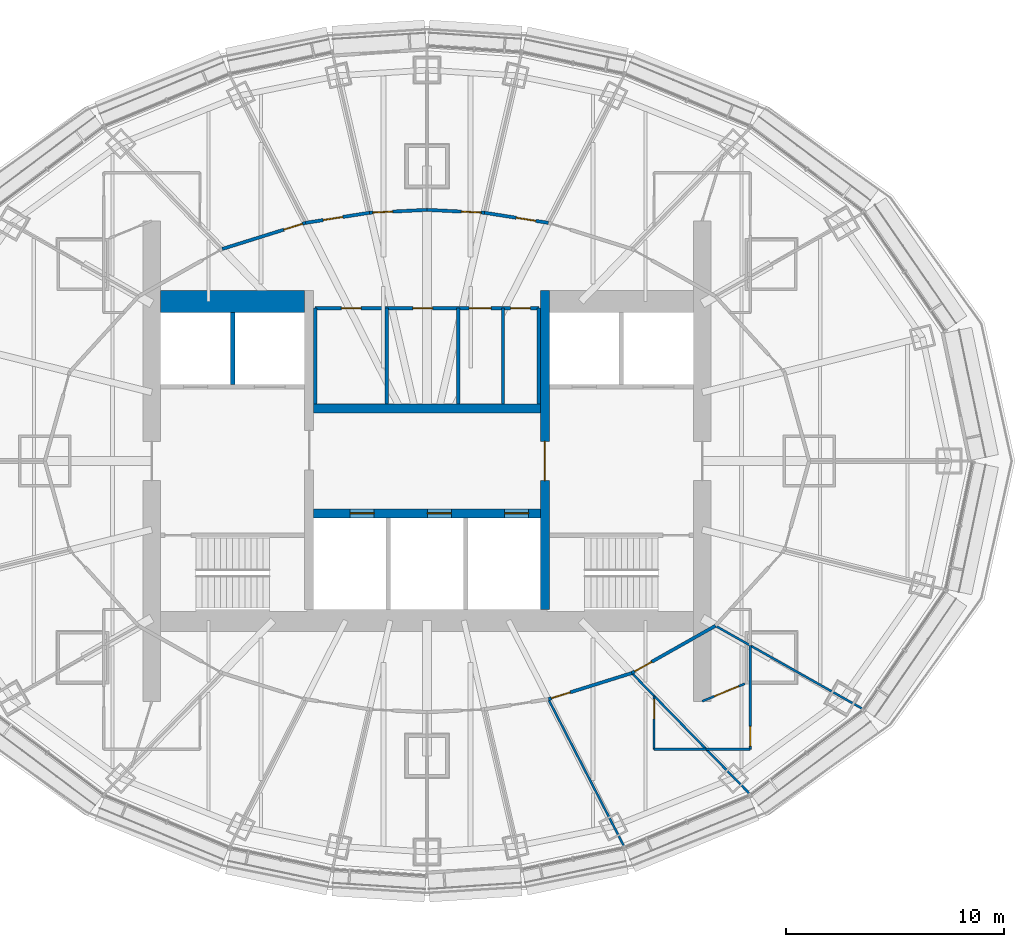
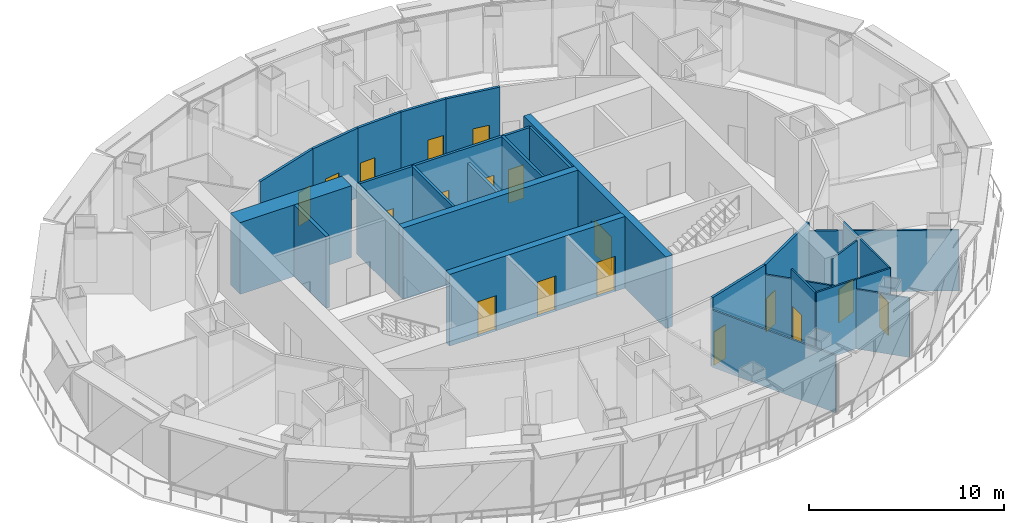
# One storey, part 11 of 17: 26 walls, 18 doors, 18 openings.
"""IFC4 building model written with IfcOpenShell, lengths in metres."""

from ifc_helpers import new_model, si_unit, direction, frame, frame_2d, origin, place, context, subcontext, project, spatial, rectangle, extrude, material, layer, layer_set, type_object, element, fill, save


model = new_model("IFC4")

# Units and contexts
model_context = context("Model", 3, precision=1e-05, world=origin(), true_north=direction((0.0, 1.0)))
body_context = subcontext(model_context, "Body", "Model", "MODEL_VIEW")
ifc_project = project(units=[si_unit("LENGTHUNIT", "METRE"), si_unit("AREAUNIT", "SQUARE_METRE"), si_unit("VOLUMEUNIT", "CUBIC_METRE"), si_unit("PLANEANGLEUNIT", "RADIAN"), si_unit("MASSUNIT", "GRAM", prefix="KILO")], contexts=[model_context])

# Site, building, storey
site_placement = place(None, origin())
site = spatial("IfcSite", under=ifc_project, at=site_placement, CompositionType="ELEMENT")
building_placement = place(site_placement, origin())
building = spatial("IfcBuilding", under=site, at=building_placement, Name="Lantaw Convention Tower", CompositionType="ELEMENT")
storey_placement = place(building_placement, frame((0.0, 0.0, 270.39990234375)))
storey = spatial("IfcBuildingStorey", under=building, at=storey_placement, Name="L63", CompositionType="ELEMENT", Elevation=270.39990234375)

# Wall
ifc_material_1 = material(Name="Concrete C60/75", Category="concrete")
ifc_layer_1 = layer(ifc_material_1, 1.0)
ifc_layer_set_1 = layer_set([ifc_layer_1], Name="Core wall 1000")
wall_type_1 = type_object("IfcWallType", Name="Core wall 1000", PredefinedType="SHEAR", material=ifc_layer_set_1)
wall_1_placement = place(storey_placement, frame((-5.60009765625, 7.300048828125, 0.0), z_axis=(0.0, 0.0, 1.0), x_axis=(-1.0, 0.0, 0.0)))
element("IfcWall", 1, at=wall_1_placement, inside=storey, type_object=wall_type_1, Name="Core wall NW", PredefinedType="SHEAR", context=body_context, shape_type="SweptSolid", body=[
    extrude(rectangle(XDim=6.599853515625, YDim=1.0, at=frame_2d((3.2998046875, 0.0))), origin(), (0.0, 0.0, 1.0), 4.5),
])

# Wall, opening, door
ifc_layer_2 = layer(ifc_material_1, 0.39990234375)
ifc_layer_set_2 = layer_set([ifc_layer_2], Name="Core wall 400")
wall_type_2 = type_object("IfcWallType", Name="Core wall 400", PredefinedType="SHEAR", material=ifc_layer_set_2)
wall_2_placement = place(storey_placement, frame((5.39990234375, -6.800048828125, 0.0), z_axis=(0.0, 0.0, 1.0), x_axis=(0.0, 1.0, 0.0)))
wall_2 = element("IfcWall", 2, at=wall_2_placement, inside=storey, type_object=wall_type_2, Name="Core wall XE", PredefinedType="SHEAR", context=body_context, shape_type="SweptSolid", body=[
    extrude(rectangle(XDim=14.60009765625, YDim=0.39990234375, at=frame_2d((7.300048828125, 0.0))), origin(), (0.0, 0.0, 1.0), 4.5),
])
opening_1_placement = place(wall_2_placement, frame((5.89990234375, 0.0, 0.0)))
opening_1 = element("IfcOpeningElement", 3, at=opening_1_placement, cuts=wall_2, Name="Opening L63.01", PredefinedType="OPENING", context=body_context, shape_type="SweptSolid", body=[
    extrude(rectangle(XDim=1.800048828125, YDim=2.10009765625, at=frame_2d((0.89990234375, 1.050048828125))), frame((0.0, 0.2099609375, 0.0), z_axis=(0.0, -1.0, 0.0), x_axis=(1.0, 0.0, 0.0)), (0.0, 0.0, 1.0), 0.419921875),
])
ifc_material_2 = material(Name="Steel, fire rated", Category="steel")
door_type_1 = type_object("IfcDoorType", Name="Lobby double door FD90", OperationType="DOUBLE_DOOR_DOUBLE_SWING", PredefinedType="DOOR", material=ifc_material_2)
door_1_placement = place(opening_1_placement, origin())
door_1 = element("IfcDoor", 4, at=door_1_placement, inside=storey, type_object=door_type_1, Name="Lift lobby door", OperationType="DOUBLE_DOOR_DOUBLE_SWING", OverallHeight=2.10009765625, OverallWidth=1.800048828125, PredefinedType="DOOR", context=body_context, shape_type="SweptSolid", body=[
    extrude(rectangle(XDim=1.800048828125, YDim=2.10009765625, at=frame_2d((0.89990234375, 1.050048828125))), frame((0.0, 0.02490234375, 0.0), z_axis=(0.0, -1.0, 0.0), x_axis=(1.0, 0.0, 0.0)), (0.0, 0.0, 1.0), 0.050048828125),
])
fill(opening_1, door_1)

# Wall, openings, doors
wall_3_placement = place(storey_placement, frame((-5.199951171875, -2.39990234375, 0.0), z_axis=(0.0, 0.0, 1.0), x_axis=(1.0, 0.0, 0.0)))
wall_3 = element("IfcWall", 5, at=wall_3_placement, inside=storey, type_object=wall_type_2, Name="Core wall BS", PredefinedType="SHEAR", context=body_context, shape_type="SweptSolid", body=[
    extrude(rectangle(XDim=10.39990234375, YDim=0.39990234375, at=frame_2d((5.199951171875, 0.0))), origin(), (0.0, 0.0, 1.0), 4.5),
])
opening_2_placement = place(wall_3_placement, frame((1.683349609375, 0.0, 0.0)))
opening_2 = element("IfcOpeningElement", 6, at=opening_2_placement, cuts=wall_3, Name="Opening L63.07", PredefinedType="OPENING", context=body_context, shape_type="SweptSolid", body=[
    extrude(rectangle(XDim=1.10009765625, YDim=2.199951171875, at=frame_2d((0.550048828125, 1.10009765625))), frame((0.0, 0.2099609375, 0.0), z_axis=(0.0, -1.0, 0.0), x_axis=(1.0, 0.0, 0.0)), (0.0, 0.0, 1.0), 0.419921875),
])
opening_3_placement = place(wall_3_placement, frame((5.216796875, 0.0, 0.0)))
opening_3 = element("IfcOpeningElement", 7, at=opening_3_placement, cuts=wall_3, Name="Opening L63.08", PredefinedType="OPENING", context=body_context, shape_type="SweptSolid", body=[
    extrude(rectangle(XDim=1.10009765625, YDim=2.199951171875, at=frame_2d((0.550048828125, 1.10009765625))), frame((0.0, 0.2099609375, 0.0), z_axis=(0.0, -1.0, 0.0), x_axis=(1.0, 0.0, 0.0)), (0.0, 0.0, 1.0), 0.419921875),
])
opening_4_placement = place(wall_3_placement, frame((8.75, 0.0, 0.0)))
opening_4 = element("IfcOpeningElement", 8, at=opening_4_placement, cuts=wall_3, Name="Opening L63.09", PredefinedType="OPENING", context=body_context, shape_type="SweptSolid", body=[
    extrude(rectangle(XDim=1.10009765625, YDim=2.199951171875, at=frame_2d((0.550048828125, 1.10009765625))), frame((0.0, 0.2099609375, 0.0), z_axis=(0.0, -1.0, 0.0), x_axis=(1.0, 0.0, 0.0)), (0.0, 0.0, 1.0), 0.419921875),
])
ifc_material_3 = material(Name="Stainless steel", Category="steel")
door_type_2 = type_object("IfcDoorType", Name="Lift landing door 1100", OperationType="DOUBLE_DOOR_SLIDING", PredefinedType="DOOR", material=ifc_material_3)
door_2_placement = place(opening_2_placement, origin())
door_2 = element("IfcDoor", 9, at=door_2_placement, inside=storey, type_object=door_type_2, Name="Lift landing door S1", OperationType="DOUBLE_DOOR_SLIDING", OverallHeight=2.199951171875, OverallWidth=1.10009765625, PredefinedType="DOOR", context=body_context, shape_type="SweptSolid", body=[
    extrude(rectangle(XDim=1.10009765625, YDim=2.199951171875, at=frame_2d((0.550048828125, 1.10009765625))), frame((0.0, 0.02490234375, 0.0), z_axis=(0.0, -1.0, 0.0), x_axis=(1.0, 0.0, 0.0)), (0.0, 0.0, 1.0), 0.050048828125),
])
fill(opening_2, door_2)
door_3_placement = place(opening_3_placement, origin())
door_3 = element("IfcDoor", 10, at=door_3_placement, inside=storey, type_object=door_type_2, Name="Lift landing door S2", OperationType="DOUBLE_DOOR_SLIDING", OverallHeight=2.199951171875, OverallWidth=1.10009765625, PredefinedType="DOOR", context=body_context, shape_type="SweptSolid", body=[
    extrude(rectangle(XDim=1.10009765625, YDim=2.199951171875, at=frame_2d((0.550048828125, 1.10009765625))), frame((0.0, 0.02490234375, 0.0), z_axis=(0.0, -1.0, 0.0), x_axis=(1.0, 0.0, 0.0)), (0.0, 0.0, 1.0), 0.050048828125),
])
fill(opening_3, door_3)
door_4_placement = place(opening_4_placement, origin())
door_4 = element("IfcDoor", 11, at=door_4_placement, inside=storey, type_object=door_type_2, Name="Lift landing door S3", OperationType="DOUBLE_DOOR_SLIDING", OverallHeight=2.199951171875, OverallWidth=1.10009765625, PredefinedType="DOOR", context=body_context, shape_type="SweptSolid", body=[
    extrude(rectangle(XDim=1.10009765625, YDim=2.199951171875, at=frame_2d((0.550048828125, 1.10009765625))), frame((0.0, 0.02490234375, 0.0), z_axis=(0.0, -1.0, 0.0), x_axis=(1.0, 0.0, 0.0)), (0.0, 0.0, 1.0), 0.050048828125),
])
fill(opening_4, door_4)

# Wall
wall_4_placement = place(storey_placement, frame((5.199951171875, 2.39990234375, 0.0), z_axis=(0.0, 0.0, 1.0), x_axis=(-1.0, 0.0, 0.0)))
element("IfcWall", 12, at=wall_4_placement, inside=storey, type_object=wall_type_2, Name="Core wall BN", PredefinedType="SHEAR", context=body_context, shape_type="SweptSolid", body=[
    extrude(rectangle(XDim=10.39990234375, YDim=0.39990234375, at=frame_2d((5.199951171875, 0.0))), origin(), (0.0, 0.0, 1.0), 4.5),
])

# Wall, opening, door
ifc_material_4 = material(Name="Gypsum board on steel studs, fire rated", Category="steel")
ifc_layer_3 = layer(ifc_material_4, 0.10009765625)
ifc_layer_set_3 = layer_set([ifc_layer_3], Name="Corridor screen wall 100 EI 30")
wall_type_3 = type_object("IfcWallType", Name="Corridor screen wall 100 EI 30", PredefinedType="PARTITIONING", material=ifc_layer_set_3)
wall_5_placement = place(storey_placement, frame((12.60009765625, -11.0, 0.0), z_axis=(0.0, 0.0, 1.0), x_axis=(0.925157145479, 0.379584320237, 0.0)))
wall_5 = element("IfcWall", 13, at=wall_5_placement, inside=storey, type_object=wall_type_3, Name="Corridor screen wall 100", PredefinedType="PARTITIONING", context=body_context, shape_type="SweptSolid", body=[
    extrude(rectangle(XDim=2.107666015625, YDim=0.10009765625, at=frame_2d((1.0537109375, 0.0))), origin(), (0.0, 0.0, 1.0), 4.35009765625),
])
opening_5_placement = place(wall_5_placement, frame((0.60009765625, 0.0, 0.0)))
opening_5 = element("IfcOpeningElement", 14, at=opening_5_placement, cuts=wall_5, Name="Opening L63.48", PredefinedType="OPENING", context=body_context, shape_type="SweptSolid", body=[
    extrude(rectangle(XDim=1.199951171875, YDim=2.10009765625, at=frame_2d((0.60009765625, 1.050048828125))), frame((0.0, 0.06005859375, 0.0), z_axis=(0.0, -1.0, 0.0), x_axis=(1.0, 0.0, 0.0)), (0.0, 0.0, 1.0), 0.1201171875),
])
door_type_3 = type_object("IfcDoorType", Name="Cross-corridor door 1200 FD30", OperationType="DOUBLE_DOOR_DOUBLE_SWING", PredefinedType="DOOR", material=ifc_material_2)
door_5_placement = place(opening_5_placement, origin())
door_5 = element("IfcDoor", 15, at=door_5_placement, inside=storey, type_object=door_type_3, Name="Cross-corridor door", OperationType="DOUBLE_DOOR_DOUBLE_SWING", OverallHeight=2.10009765625, OverallWidth=1.199951171875, PredefinedType="DOOR", context=body_context, shape_type="SweptSolid", body=[
    extrude(rectangle(XDim=1.199951171875, YDim=2.10009765625, at=frame_2d((0.60009765625, 1.050048828125))), frame((0.0, 0.02490234375, 0.0), z_axis=(0.0, -1.0, 0.0), x_axis=(1.0, 0.0, 0.0)), (0.0, 0.0, 1.0), 0.050048828125),
])
fill(opening_5, door_5)

ifc_layer_4 = layer(ifc_material_4, 0.14990234375)
ifc_layer_set_4 = layer_set([ifc_layer_4], Name="Corridor wall 150 EI 60")
wall_type_4 = type_object("IfcWallType", Name="Corridor wall 150 EI 60", PredefinedType="PARTITIONING", material=ifc_layer_set_4)
wall_6_placement = place(storey_placement, frame((5.556396484375, 10.905029296875, 0.0), z_axis=(0.0, 0.0, 1.0), x_axis=(-0.987659371348, 0.156617260185, 0.0)))
wall_6 = element("IfcWall", 16, at=wall_6_placement, inside=storey, type_object=wall_type_4, Name="Corridor wall 150", PredefinedType="PARTITIONING", context=body_context, shape_type="SweptSolid", body=[
    extrude(rectangle(XDim=2.968017578125, YDim=0.14990234375, at=frame_2d((1.48388671875, 0.0))), origin(), (0.0, 0.0, 1.0), 4.35009765625),
])
opening_6_placement = place(wall_6_placement, frame((0.592041015625, 0.0, 0.0)))
opening_6 = element("IfcOpeningElement", 17, at=opening_6_placement, cuts=wall_6, Name="Opening L63.21", PredefinedType="OPENING", context=body_context, shape_type="SweptSolid", body=[
    extrude(rectangle(XDim=0.89990234375, YDim=2.10009765625, at=frame_2d((0.449951171875, 1.050048828125))), frame((0.0, 0.0849609375, 0.0), z_axis=(0.0, -1.0, 0.0), x_axis=(1.0, 0.0, 0.0)), (0.0, 0.0, 1.0), 0.169921875),
])
door_type_4 = type_object("IfcDoorType", Name="Office door 900 FD30", OperationType="SINGLE_SWING_LEFT", PredefinedType="DOOR", material=ifc_material_2)
door_6_placement = place(opening_6_placement, origin())
door_6 = element("IfcDoor", 18, at=door_6_placement, inside=storey, type_object=door_type_4, Name="Executive office door", OperationType="SINGLE_SWING_LEFT", OverallHeight=2.10009765625, OverallWidth=0.89990234375, PredefinedType="DOOR", context=body_context, shape_type="SweptSolid", body=[
    extrude(rectangle(XDim=0.89990234375, YDim=2.10009765625, at=frame_2d((0.449951171875, 1.050048828125))), frame((0.0, 0.02490234375, 0.0), z_axis=(0.0, -1.0, 0.0), x_axis=(1.0, 0.0, 0.0)), (0.0, 0.0, 1.0), 0.050048828125),
])
fill(opening_6, door_6)

wall_7_placement = place(storey_placement, frame((2.625, 11.369873046875, 0.0), z_axis=(0.0, 0.0, 1.0), x_axis=(-0.99877355978, 0.049511375313, 0.0)))
wall_7 = element("IfcWall", 19, at=wall_7_placement, inside=storey, type_object=wall_type_4, Name="Corridor wall 150", PredefinedType="PARTITIONING", context=body_context, shape_type="SweptSolid", body=[
    extrude(rectangle(XDim=2.628173828125, YDim=0.14990234375, at=frame_2d((1.31396484375, 0.0))), origin(), (0.0, 0.0, 1.0), 4.35009765625),
])
opening_7_placement = place(wall_7_placement, frame((0.14990234375, 0.0, 0.0)))
opening_7 = element("IfcOpeningElement", 20, at=opening_7_placement, cuts=wall_7, Name="Opening L63.22", PredefinedType="OPENING", context=body_context, shape_type="SweptSolid", body=[
    extrude(rectangle(XDim=0.89990234375, YDim=2.10009765625, at=frame_2d((0.449951171875, 1.050048828125))), frame((0.0, 0.0849609375, 0.0), z_axis=(0.0, -1.0, 0.0), x_axis=(1.0, 0.0, 0.0)), (0.0, 0.0, 1.0), 0.169921875),
])
door_7_placement = place(opening_7_placement, origin())
door_7 = element("IfcDoor", 21, at=door_7_placement, inside=storey, type_object=door_type_4, Name="Executive office door", OperationType="SINGLE_SWING_LEFT", OverallHeight=2.10009765625, OverallWidth=0.89990234375, PredefinedType="DOOR", context=body_context, shape_type="SweptSolid", body=[
    extrude(rectangle(XDim=0.89990234375, YDim=2.10009765625, at=frame_2d((0.449951171875, 1.050048828125))), frame((0.0, 0.02490234375, 0.0), z_axis=(0.0, -1.0, 0.0), x_axis=(1.0, 0.0, 0.0)), (0.0, 0.0, 1.0), 0.050048828125),
])
fill(opening_7, door_7)

wall_8_placement = place(storey_placement, frame((0.0, 11.5, 0.0), z_axis=(0.0, 0.0, 1.0), x_axis=(-0.99877355978, -0.049511375313, 0.0)))
wall_8 = element("IfcWall", 22, at=wall_8_placement, inside=storey, type_object=wall_type_4, Name="Corridor wall 150", PredefinedType="PARTITIONING", context=body_context, shape_type="SweptSolid", body=[
    extrude(rectangle(XDim=2.628173828125, YDim=0.14990234375, at=frame_2d((1.31396484375, 0.0))), origin(), (0.0, 0.0, 1.0), 4.35009765625),
])
opening_8_placement = place(wall_8_placement, frame((1.578125, 0.0, 0.0)))
opening_8 = element("IfcOpeningElement", 23, at=opening_8_placement, cuts=wall_8, Name="Opening L63.23", PredefinedType="OPENING", context=body_context, shape_type="SweptSolid", body=[
    extrude(rectangle(XDim=0.89990234375, YDim=2.10009765625, at=frame_2d((0.449951171875, 1.050048828125))), frame((0.0, 0.0849609375, 0.0), z_axis=(0.0, -1.0, 0.0), x_axis=(1.0, 0.0, 0.0)), (0.0, 0.0, 1.0), 0.169921875),
])
door_8_placement = place(opening_8_placement, origin())
door_8 = element("IfcDoor", 24, at=door_8_placement, inside=storey, type_object=door_type_4, Name="Executive office door", OperationType="SINGLE_SWING_LEFT", OverallHeight=2.10009765625, OverallWidth=0.89990234375, PredefinedType="DOOR", context=body_context, shape_type="SweptSolid", body=[
    extrude(rectangle(XDim=0.89990234375, YDim=2.10009765625, at=frame_2d((0.449951171875, 1.050048828125))), frame((0.0, 0.02490234375, 0.0), z_axis=(0.0, -1.0, 0.0), x_axis=(1.0, 0.0, 0.0)), (0.0, 0.0, 1.0), 0.050048828125),
])
fill(opening_8, door_8)

wall_9_placement = place(storey_placement, frame((-2.625, 11.369873046875, 0.0), z_axis=(0.0, 0.0, 1.0), x_axis=(-0.987659371348, -0.156617260185, 0.0)))
wall_9 = element("IfcWall", 25, at=wall_9_placement, inside=storey, type_object=wall_type_4, Name="Corridor wall 150", PredefinedType="PARTITIONING", context=body_context, shape_type="SweptSolid", body=[
    extrude(rectangle(XDim=2.968017578125, YDim=0.14990234375, at=frame_2d((1.48388671875, 0.0))), origin(), (0.0, 0.0, 1.0), 4.35009765625),
])
opening_9_placement = place(wall_9_placement, frame((1.2548828125, 0.0, 0.0)))
opening_9 = element("IfcOpeningElement", 26, at=opening_9_placement, cuts=wall_9, Name="Opening L63.24", PredefinedType="OPENING", context=body_context, shape_type="SweptSolid", body=[
    extrude(rectangle(XDim=0.89990234375, YDim=2.10009765625, at=frame_2d((0.449951171875, 1.050048828125))), frame((0.0, 0.0849609375, 0.0), z_axis=(0.0, -1.0, 0.0), x_axis=(1.0, 0.0, 0.0)), (0.0, 0.0, 1.0), 0.169921875),
])
door_9_placement = place(opening_9_placement, origin())
door_9 = element("IfcDoor", 27, at=door_9_placement, inside=storey, type_object=door_type_4, Name="Executive office door", OperationType="SINGLE_SWING_LEFT", OverallHeight=2.10009765625, OverallWidth=0.89990234375, PredefinedType="DOOR", context=body_context, shape_type="SweptSolid", body=[
    extrude(rectangle(XDim=0.89990234375, YDim=2.10009765625, at=frame_2d((0.449951171875, 1.050048828125))), frame((0.0, 0.02490234375, 0.0), z_axis=(0.0, -1.0, 0.0), x_axis=(1.0, 0.0, 0.0)), (0.0, 0.0, 1.0), 0.050048828125),
])
fill(opening_9, door_9)

wall_10_placement = place(storey_placement, frame((-5.556396484375, 10.905029296875, 0.0), z_axis=(0.0, 0.0, 1.0), x_axis=(-0.954393117131, -0.298552806004, 0.0)))
wall_10 = element("IfcWall", 28, at=wall_10_placement, inside=storey, type_object=wall_type_4, Name="Corridor wall 150", PredefinedType="PARTITIONING", context=body_context, shape_type="SweptSolid", body=[
    extrude(rectangle(XDim=4.0029296875, YDim=0.14990234375, at=frame_2d((2.00146484375, 0.0))), origin(), (0.0, 0.0, 1.0), 4.35009765625),
])
opening_10_placement = place(wall_10_placement, frame((0.14990234375, 0.0, 0.0)))
opening_10 = element("IfcOpeningElement", 29, at=opening_10_placement, cuts=wall_10, Name="Opening L63.25", PredefinedType="OPENING", context=body_context, shape_type="SweptSolid", body=[
    extrude(rectangle(XDim=0.89990234375, YDim=2.10009765625, at=frame_2d((0.449951171875, 1.050048828125))), frame((0.0, 0.0849609375, 0.0), z_axis=(0.0, -1.0, 0.0), x_axis=(1.0, 0.0, 0.0)), (0.0, 0.0, 1.0), 0.169921875),
])
door_10_placement = place(opening_10_placement, origin())
door_10 = element("IfcDoor", 30, at=door_10_placement, inside=storey, type_object=door_type_4, Name="Executive office door", OperationType="SINGLE_SWING_LEFT", OverallHeight=2.10009765625, OverallWidth=0.89990234375, PredefinedType="DOOR", context=body_context, shape_type="SweptSolid", body=[
    extrude(rectangle(XDim=0.89990234375, YDim=2.10009765625, at=frame_2d((0.449951171875, 1.050048828125))), frame((0.0, 0.02490234375, 0.0), z_axis=(0.0, -1.0, 0.0), x_axis=(1.0, 0.0, 0.0)), (0.0, 0.0, 1.0), 0.050048828125),
])
fill(opening_10, door_10)

wall_11_placement = place(storey_placement, frame((5.556396484375, -10.905029296875, 0.0), z_axis=(0.0, 0.0, 1.0), x_axis=(0.954393117131, 0.298552806004, 0.0)))
wall_11 = element("IfcWall", 31, at=wall_11_placement, inside=storey, type_object=wall_type_4, Name="Corridor wall 150", PredefinedType="PARTITIONING", context=body_context, shape_type="SweptSolid", body=[
    extrude(rectangle(XDim=4.0029296875, YDim=0.14990234375, at=frame_2d((2.00146484375, 0.0))), origin(), (0.0, 0.0, 1.0), 4.35009765625),
])
opening_11_placement = place(wall_11_placement, frame((0.14990234375, 0.0, 0.0)))
opening_11 = element("IfcOpeningElement", 32, at=opening_11_placement, cuts=wall_11, Name="Opening L63.36", PredefinedType="OPENING", context=body_context, shape_type="SweptSolid", body=[
    extrude(rectangle(XDim=0.89990234375, YDim=2.10009765625, at=frame_2d((0.449951171875, 1.050048828125))), frame((0.0, 0.0849609375, 0.0), z_axis=(0.0, -1.0, 0.0), x_axis=(1.0, 0.0, 0.0)), (0.0, 0.0, 1.0), 0.169921875),
])
door_11_placement = place(opening_11_placement, origin())
door_11 = element("IfcDoor", 33, at=door_11_placement, inside=storey, type_object=door_type_4, Name="Executive office door", OperationType="SINGLE_SWING_LEFT", OverallHeight=2.10009765625, OverallWidth=0.89990234375, PredefinedType="DOOR", context=body_context, shape_type="SweptSolid", body=[
    extrude(rectangle(XDim=0.89990234375, YDim=2.10009765625, at=frame_2d((0.449951171875, 1.050048828125))), frame((0.0, 0.02490234375, 0.0), z_axis=(0.0, -1.0, 0.0), x_axis=(1.0, 0.0, 0.0)), (0.0, 0.0, 1.0), 0.050048828125),
])
fill(opening_11, door_11)

wall_12_placement = place(storey_placement, frame((9.376708984375, -9.7099609375, 0.0), z_axis=(0.0, 0.0, 1.0), x_axis=(0.870593853694, 0.492002379984, 0.0)))
wall_12 = element("IfcWall", 34, at=wall_12_placement, inside=storey, type_object=wall_type_4, Name="Corridor wall 150", PredefinedType="PARTITIONING", context=body_context, shape_type="SweptSolid", body=[
    extrude(rectangle(XDim=4.39794921875, YDim=0.14990234375, at=frame_2d((2.198974609375, 0.0))), origin(), (0.0, 0.0, 1.0), 4.35009765625),
])
opening_12_placement = place(wall_12_placement, frame((0.14990234375, 0.0, 0.0)))
opening_12 = element("IfcOpeningElement", 35, at=opening_12_placement, cuts=wall_12, Name="Opening L63.37", PredefinedType="OPENING", context=body_context, shape_type="SweptSolid", body=[
    extrude(rectangle(XDim=0.89990234375, YDim=2.10009765625, at=frame_2d((0.449951171875, 1.050048828125))), frame((0.0, 0.0849609375, 0.0), z_axis=(0.0, -1.0, 0.0), x_axis=(1.0, 0.0, 0.0)), (0.0, 0.0, 1.0), 0.169921875),
])
door_12_placement = place(opening_12_placement, origin())
door_12 = element("IfcDoor", 36, at=door_12_placement, inside=storey, type_object=door_type_4, Name="Pantry door", OperationType="SINGLE_SWING_LEFT", OverallHeight=2.10009765625, OverallWidth=0.89990234375, PredefinedType="DOOR", context=body_context, shape_type="SweptSolid", body=[
    extrude(rectangle(XDim=0.89990234375, YDim=2.10009765625, at=frame_2d((0.449951171875, 1.050048828125))), frame((0.0, 0.02490234375, 0.0), z_axis=(0.0, -1.0, 0.0), x_axis=(1.0, 0.0, 0.0)), (0.0, 0.0, 1.0), 0.050048828125),
])
fill(opening_12, door_12)

# Walls
ifc_material_5 = material(Name="Gypsum board on steel studs, acoustic", Category="steel")
ifc_layer_5 = layer(ifc_material_5, 0.10009765625)
ifc_layer_set_5 = layer_set([ifc_layer_5], Name="Office partition 100")
wall_type_5 = type_object("IfcWallType", Name="Office partition 100", PredefinedType="PARTITIONING", material=ifc_layer_set_5)
wall_13_placement = place(storey_placement, frame((9.03076171875, -17.6572265625, 0.0), z_axis=(0.0, 0.0, 1.0), x_axis=(-0.457536153323, 0.889191019074, 0.0)))
element("IfcWall", 37, at=wall_13_placement, inside=storey, type_object=wall_type_5, Name="Office partition 100", PredefinedType="PARTITIONING", context=body_context, shape_type="SweptSolid", body=[
    extrude(rectangle(XDim=7.59375, YDim=0.10009765625, at=frame_2d((3.796875, 0.0))), origin(), (0.0, 0.0, 1.0), 3.59326171875),
])
wall_14_placement = place(storey_placement, frame((14.7890625, -15.2509765625, 0.0), z_axis=(0.0, 0.0, 1.0), x_axis=(-0.698752653188, 0.71536335499, 0.0)))
element("IfcWall", 38, at=wall_14_placement, inside=storey, type_object=wall_type_5, Name="Office partition 100", PredefinedType="PARTITIONING", context=body_context, shape_type="SweptSolid", body=[
    extrude(rectangle(XDim=7.745849609375, YDim=0.10009765625, at=frame_2d((3.873046875, 0.0))), origin(), (0.0, 0.0, 1.0), 3.72265625),
])
wall_15_placement = place(storey_placement, frame((19.958984375, -11.354736328125, 0.0), z_axis=(0.0, 0.0, 1.0), x_axis=(-0.871035125561, 0.491220734537, 0.0)))
element("IfcWall", 39, at=wall_15_placement, inside=storey, type_object=wall_type_5, Name="Office partition 100", PredefinedType="PARTITIONING", context=body_context, shape_type="SweptSolid", body=[
    extrude(rectangle(XDim=7.75341796875, YDim=0.10009765625, at=frame_2d((3.876708984375, 0.0))), origin(), (0.0, 0.0, 1.0), 3.82421875),
])

# Wall, opening, door
wall_16_placement = place(storey_placement, frame((10.39990234375, -10.757568359375, 0.0), z_axis=(0.0, 0.0, 1.0), x_axis=(0.0, -1.0, 0.0)))
wall_16 = element("IfcWall", 40, at=wall_16_placement, inside=storey, type_object=wall_type_5, Name="Office partition 100", PredefinedType="PARTITIONING", context=body_context, shape_type="SweptSolid", body=[
    extrude(rectangle(XDim=2.4423828125, YDim=0.10009765625, at=frame_2d((1.22119140625, 0.0))), origin(), (0.0, 0.0, 1.0), 4.35009765625),
])
opening_13_placement = place(wall_16_placement, frame((0.14990234375, 0.0, 0.0)))
opening_13 = element("IfcOpeningElement", 41, at=opening_13_placement, cuts=wall_16, Name="Opening L63.46", PredefinedType="OPENING", context=body_context, shape_type="SweptSolid", body=[
    extrude(rectangle(XDim=0.89990234375, YDim=2.10009765625, at=frame_2d((0.449951171875, 1.050048828125))), frame((0.0, 0.06005859375, 0.0), z_axis=(0.0, -1.0, 0.0), x_axis=(1.0, 0.0, 0.0)), (0.0, 0.0, 1.0), 0.1201171875),
])
ifc_material_6 = material(Name="Timber", Category="wood")
door_type_5 = type_object("IfcDoorType", Name="Office door 900", OperationType="SINGLE_SWING_LEFT", PredefinedType="DOOR", material=ifc_material_6)
door_13_placement = place(opening_13_placement, origin())
door_13 = element("IfcDoor", 42, at=door_13_placement, inside=storey, type_object=door_type_5, Name="Executive office door", OperationType="SINGLE_SWING_LEFT", OverallHeight=2.10009765625, OverallWidth=0.89990234375, PredefinedType="DOOR", context=body_context, shape_type="SweptSolid", body=[
    extrude(rectangle(XDim=0.89990234375, YDim=2.10009765625, at=frame_2d((0.449951171875, 1.050048828125))), frame((0.0, 0.02490234375, 0.0), z_axis=(0.0, -1.0, 0.0), x_axis=(1.0, 0.0, 0.0)), (0.0, 0.0, 1.0), 0.050048828125),
])
fill(opening_13, door_13)

# Walls
wall_17_placement = place(storey_placement, frame((10.39990234375, -13.199951171875, 0.0), z_axis=(0.0, 0.0, 1.0), x_axis=(1.0, 0.0, 0.0)))
element("IfcWall", 43, at=wall_17_placement, inside=storey, type_object=wall_type_5, Name="Office partition 100", PredefinedType="PARTITIONING", context=body_context, shape_type="SweptSolid", body=[
    extrude(rectangle(XDim=2.3857421875, YDim=0.10009765625, at=frame_2d((1.19287109375, 0.0))), origin(), (0.0, 0.0, 1.0), 4.35009765625),
])
wall_18_placement = place(storey_placement, frame((12.78564453125, -13.199951171875, 0.0), z_axis=(0.0, 0.0, 1.0), x_axis=(1.0, 0.0, 0.0)))
element("IfcWall", 44, at=wall_18_placement, inside=storey, type_object=wall_type_5, Name="Office partition 100", PredefinedType="PARTITIONING", context=body_context, shape_type="SweptSolid", body=[
    extrude(rectangle(XDim=2.014404296875, YDim=0.10009765625, at=frame_2d((1.00732421875, 0.0))), origin(), (0.0, 0.0, 1.0), 4.35009765625),
])

# Wall, opening, door
wall_19_placement = place(storey_placement, frame((14.800048828125, -13.199951171875, 0.0), z_axis=(0.0, 0.0, 1.0), x_axis=(0.0, 1.0, 0.0)))
wall_19 = element("IfcWall", 45, at=wall_19_placement, inside=storey, type_object=wall_type_5, Name="Office partition 100", PredefinedType="PARTITIONING", context=body_context, shape_type="SweptSolid", body=[
    extrude(rectangle(XDim=4.754638671875, YDim=0.10009765625, at=frame_2d((2.37744140625, 0.0))), origin(), (0.0, 0.0, 1.0), 4.35009765625),
])
opening_14_placement = place(wall_19_placement, frame((0.14990234375, 0.0, 0.0)))
opening_14 = element("IfcOpeningElement", 46, at=opening_14_placement, cuts=wall_19, Name="Opening L63.47", PredefinedType="OPENING", context=body_context, shape_type="SweptSolid", body=[
    extrude(rectangle(XDim=0.89990234375, YDim=2.10009765625, at=frame_2d((0.449951171875, 1.050048828125))), frame((0.0, 0.06005859375, 0.0), z_axis=(0.0, -1.0, 0.0), x_axis=(1.0, 0.0, 0.0)), (0.0, 0.0, 1.0), 0.1201171875),
])
door_14_placement = place(opening_14_placement, origin())
door_14 = element("IfcDoor", 47, at=door_14_placement, inside=storey, type_object=door_type_5, Name="Pantry door", OperationType="SINGLE_SWING_LEFT", OverallHeight=2.10009765625, OverallWidth=0.89990234375, PredefinedType="DOOR", context=body_context, shape_type="SweptSolid", body=[
    extrude(rectangle(XDim=0.89990234375, YDim=2.10009765625, at=frame_2d((0.449951171875, 1.050048828125))), frame((0.0, 0.02490234375, 0.0), z_axis=(0.0, -1.0, 0.0), x_axis=(1.0, 0.0, 0.0)), (0.0, 0.0, 1.0), 0.050048828125),
])
fill(opening_14, door_14)

# Wall
ifc_material_7 = material(Name="Concrete blockwork, fire rated", Category="masonry")
ifc_layer_6 = layer(ifc_material_7, 0.199951171875)
ifc_layer_set_6 = layer_set([ifc_layer_6], Name="Shaft wall 200")
wall_type_6 = type_object("IfcWallType", Name="Shaft wall 200", PredefinedType="SOLIDWALL", material=ifc_layer_set_6)
wall_20_placement = place(storey_placement, frame((-8.89990234375, 3.5, 0.0), z_axis=(0.0, 0.0, 1.0), x_axis=(0.0, 1.0, 0.0)))
element("IfcWall", 48, at=wall_20_placement, inside=storey, type_object=wall_type_6, Name="Shaft wall WD", PredefinedType="SOLIDWALL", context=body_context, shape_type="SweptSolid", body=[
    extrude(rectangle(XDim=3.300048828125, YDim=0.199951171875, at=frame_2d((1.64990234375, 0.0))), origin(), (0.0, 0.0, 1.0), 4.5),
])

# Wall, openings, doors
ifc_material_8 = material(Name="Concrete blockwork", Category="masonry")
ifc_layer_7 = layer(ifc_material_8, 0.14990234375)
ifc_layer_set_7 = layer_set([ifc_layer_7], Name="WC wall 150")
wall_type_7 = type_object("IfcWallType", Name="WC wall 150", PredefinedType="SOLIDWALL", material=ifc_layer_set_7)
wall_21_placement = place(storey_placement, frame((-5.1201171875, 7.0, 0.0), z_axis=(0.0, 0.0, 1.0), x_axis=(1.0, 0.0, 0.0)))
wall_21 = element("IfcWall", 49, at=wall_21_placement, inside=storey, type_object=wall_type_7, Name="WC wall 150", PredefinedType="SOLIDWALL", context=body_context, shape_type="SweptSolid", body=[
    extrude(rectangle(XDim=10.240234375, YDim=0.14990234375, at=frame_2d((5.1201171875, 0.0))), origin(), (0.0, 0.0, 1.0), 4.35009765625),
])
opening_15_placement = place(wall_21_placement, frame((1.199951171875, 0.0, 0.0)))
opening_15 = element("IfcOpeningElement", 50, at=opening_15_placement, cuts=wall_21, Name="Opening L63.14", PredefinedType="OPENING", context=body_context, shape_type="SweptSolid", body=[
    extrude(rectangle(XDim=0.89990234375, YDim=2.10009765625, at=frame_2d((0.449951171875, 1.050048828125))), frame((0.0, 0.0849609375, 0.0), z_axis=(0.0, -1.0, 0.0), x_axis=(1.0, 0.0, 0.0)), (0.0, 0.0, 1.0), 0.169921875),
])
opening_16_placement = place(wall_21_placement, frame((4.476806640625, 0.0, 0.0)))
opening_16 = element("IfcOpeningElement", 51, at=opening_16_placement, cuts=wall_21, Name="Opening L63.15", PredefinedType="OPENING", context=body_context, shape_type="SweptSolid", body=[
    extrude(rectangle(XDim=0.89990234375, YDim=2.10009765625, at=frame_2d((0.449951171875, 1.050048828125))), frame((0.0, 0.0849609375, 0.0), z_axis=(0.0, -1.0, 0.0), x_axis=(1.0, 0.0, 0.0)), (0.0, 0.0, 1.0), 0.169921875),
])
opening_17_placement = place(wall_21_placement, frame((7.0537109375, 0.0, 0.0)))
opening_17 = element("IfcOpeningElement", 52, at=opening_17_placement, cuts=wall_21, Name="Opening L63.16", PredefinedType="OPENING", context=body_context, shape_type="SweptSolid", body=[
    extrude(rectangle(XDim=1.0, YDim=2.10009765625, at=frame_2d((0.5, 1.050048828125))), frame((0.0, 0.0849609375, 0.0), z_axis=(0.0, -1.0, 0.0), x_axis=(1.0, 0.0, 0.0)), (0.0, 0.0, 1.0), 0.169921875),
])
opening_18_placement = place(wall_21_placement, frame((8.95166015625, 0.0, 0.0)))
opening_18 = element("IfcOpeningElement", 53, at=opening_18_placement, cuts=wall_21, Name="Opening L63.17", PredefinedType="OPENING", context=body_context, shape_type="SweptSolid", body=[
    extrude(rectangle(XDim=0.89990234375, YDim=2.10009765625, at=frame_2d((0.449951171875, 1.050048828125))), frame((0.0, 0.0849609375, 0.0), z_axis=(0.0, -1.0, 0.0), x_axis=(1.0, 0.0, 0.0)), (0.0, 0.0, 1.0), 0.169921875),
])
door_type_6 = type_object("IfcDoorType", Name="Accessible WC door 1000", OperationType="SINGLE_SWING_LEFT", PredefinedType="DOOR", material=ifc_material_6)
door_15_placement = place(opening_17_placement, origin())
door_15 = element("IfcDoor", 54, at=door_15_placement, inside=storey, type_object=door_type_6, Name="Accessible WC door", OperationType="SINGLE_SWING_LEFT", OverallHeight=2.10009765625, OverallWidth=1.0, PredefinedType="DOOR", context=body_context, shape_type="SweptSolid", body=[
    extrude(rectangle(XDim=1.0, YDim=2.10009765625, at=frame_2d((0.5, 1.050048828125))), frame((0.0, 0.02490234375, 0.0), z_axis=(0.0, -1.0, 0.0), x_axis=(1.0, 0.0, 0.0)), (0.0, 0.0, 1.0), 0.050048828125),
])
fill(opening_17, door_15)
door_type_7 = type_object("IfcDoorType", Name="WC door 900", OperationType="SINGLE_SWING_LEFT", PredefinedType="DOOR", material=ifc_material_6)
door_16_placement = place(opening_15_placement, origin())
door_16 = element("IfcDoor", 55, at=door_16_placement, inside=storey, type_object=door_type_7, Name="Male WC door", OperationType="SINGLE_SWING_LEFT", OverallHeight=2.10009765625, OverallWidth=0.89990234375, PredefinedType="DOOR", context=body_context, shape_type="SweptSolid", body=[
    extrude(rectangle(XDim=0.89990234375, YDim=2.10009765625, at=frame_2d((0.449951171875, 1.050048828125))), frame((0.0, 0.02490234375, 0.0), z_axis=(0.0, -1.0, 0.0), x_axis=(1.0, 0.0, 0.0)), (0.0, 0.0, 1.0), 0.050048828125),
])
fill(opening_15, door_16)
door_17_placement = place(opening_16_placement, origin())
door_17 = element("IfcDoor", 56, at=door_17_placement, inside=storey, type_object=door_type_7, Name="Female WC door", OperationType="SINGLE_SWING_LEFT", OverallHeight=2.10009765625, OverallWidth=0.89990234375, PredefinedType="DOOR", context=body_context, shape_type="SweptSolid", body=[
    extrude(rectangle(XDim=0.89990234375, YDim=2.10009765625, at=frame_2d((0.449951171875, 1.050048828125))), frame((0.0, 0.02490234375, 0.0), z_axis=(0.0, -1.0, 0.0), x_axis=(1.0, 0.0, 0.0)), (0.0, 0.0, 1.0), 0.050048828125),
])
fill(opening_16, door_17)
door_18_placement = place(opening_18_placement, origin())
door_18 = element("IfcDoor", 57, at=door_18_placement, inside=storey, type_object=door_type_7, Name="Cleaner's store door", OperationType="SINGLE_SWING_LEFT", OverallHeight=2.10009765625, OverallWidth=0.89990234375, PredefinedType="DOOR", context=body_context, shape_type="SweptSolid", body=[
    extrude(rectangle(XDim=0.89990234375, YDim=2.10009765625, at=frame_2d((0.449951171875, 1.050048828125))), frame((0.0, 0.02490234375, 0.0), z_axis=(0.0, -1.0, 0.0), x_axis=(1.0, 0.0, 0.0)), (0.0, 0.0, 1.0), 0.050048828125),
])
fill(opening_18, door_18)

# Walls
for number, where, z_axis, x_axis, name in (
    (58, (-5.1201171875, 2.60009765625, 0.0), (0.0, 0.0, 1.0), (0.0, 1.0, 0.0), "WC wall 150"),
    (59, (5.1201171875, 2.60009765625, 0.0), (0.0, 0.0, 1.0), (0.0, 1.0, 0.0), "WC wall 150"),
    (60, (-1.84326171875, 2.60009765625, 0.0), (0.0, 0.0, 1.0), (0.0, 1.0, 0.0), "WC wall 150"),
):
    element("IfcWall", number, at=place(storey_placement, frame(where, z_axis=z_axis, x_axis=x_axis)), inside=storey, type_object=wall_type_7, Name=name, PredefinedType="SOLIDWALL", context=body_context, shape_type="SweptSolid", body=[
        extrude(rectangle(XDim=4.39990234375, YDim=0.14990234375, at=frame_2d((2.199951171875, 0.0))), origin(), (0.0, 0.0, 1.0), 4.35009765625),
    ])
wall_22_placement = place(storey_placement, frame((1.43359375, 2.60009765625, 0.0), z_axis=(0.0, 0.0, 1.0), x_axis=(0.0, 1.0, 0.0)))
element("IfcWall", 61, at=wall_22_placement, inside=storey, type_object=wall_type_7, Name="WC wall 150", PredefinedType="SOLIDWALL", context=body_context, shape_type="SweptSolid", body=[
    extrude(rectangle(XDim=4.39990234375, YDim=0.14990234375, at=frame_2d((2.199951171875, 0.0))), origin(), (0.0, 0.0, 1.0), 3.40771484375),
])
wall_23_placement = place(storey_placement, frame((3.481689453125, 2.60009765625, 0.0), z_axis=(0.0, 0.0, 1.0), x_axis=(0.0, 1.0, 0.0)))
element("IfcWall", 62, at=wall_23_placement, inside=storey, type_object=wall_type_7, Name="WC wall 150", PredefinedType="SOLIDWALL", context=body_context, shape_type="SweptSolid", body=[
    extrude(rectangle(XDim=4.39990234375, YDim=0.14990234375, at=frame_2d((2.199951171875, 0.0))), origin(), (0.0, 0.0, 1.0), 4.35009765625),
])

save(model, "model.ifc")
